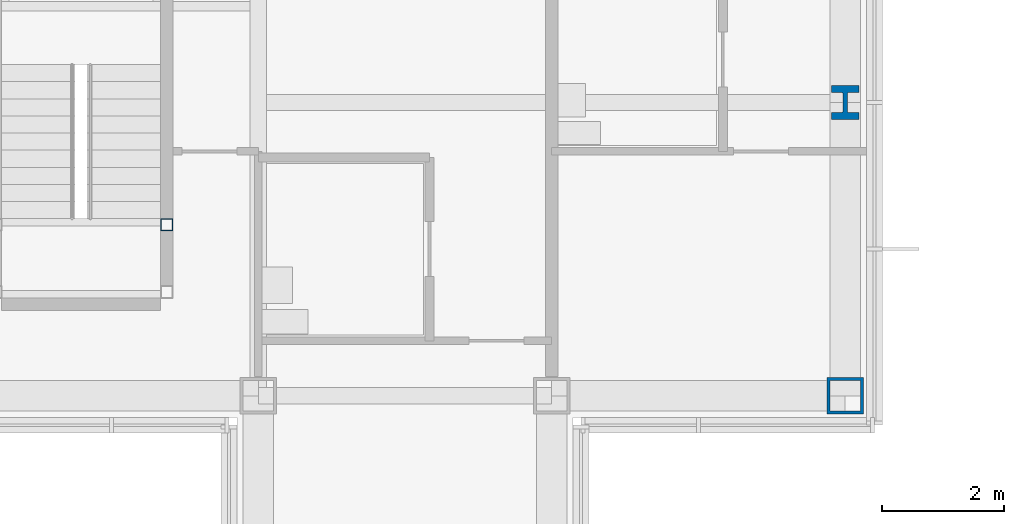
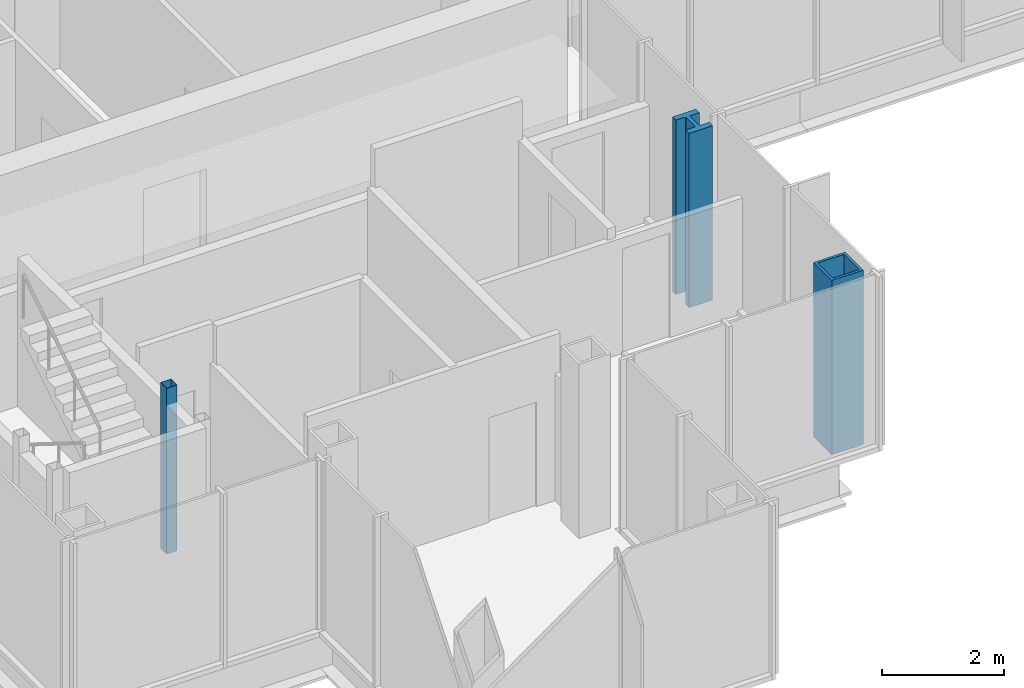
# One storey, part 2 of 15: 3 columns.
"""IFC4 building model written with IfcOpenShell, lengths in metres."""

from ifc_helpers import new_model, si_unit, direction, frame, origin, origin_2d, place, context, subcontext, project, spatial, hollow_rectangle, i_section, extrude, material, material_profile, profile_set, type_object, element, save


model = new_model("IFC4")

# Units and contexts
model_context = context("Model", 3, precision=1e-05, world=origin(), true_north=direction((0.0, 1.0)))
body_context = subcontext(model_context, "Body", "Model", "MODEL_VIEW")
ifc_project = project(units=[si_unit("LENGTHUNIT", "METRE"), si_unit("AREAUNIT", "SQUARE_METRE"), si_unit("VOLUMEUNIT", "CUBIC_METRE"), si_unit("PLANEANGLEUNIT", "RADIAN"), si_unit("MASSUNIT", "GRAM", prefix="KILO")], contexts=[model_context])

# Site, building, storey
site_placement = place(None, origin())
site = spatial("IfcSite", under=ifc_project, at=site_placement, CompositionType="ELEMENT")
building_placement = place(site_placement, origin())
building = spatial("IfcBuilding", under=site, at=building_placement, Name="Kvirike Care Tower", CompositionType="ELEMENT")
storey_placement = place(building_placement, frame((0.0, 0.0, 229.5)))
storey = spatial("IfcBuildingStorey", under=building, at=storey_placement, Name="L63", CompositionType="ELEMENT", Elevation=229.5)

# Columns
ifc_material_1 = material(Name="Steel S460", Category="steel")
ifc_material_profile_1 = material_profile(ifc_material_1, hollow_rectangle(XDim=0.60009765625, YDim=0.60009765625, WallThickness=0.050048828125, at=origin_2d()), Name="BX 600x600x50")
ifc_profile_set_1 = profile_set([ifc_material_profile_1], Name="Steel S460")
column_type_1 = type_object("IfcColumnType", Name="COLUMN BX 600x600x50", PredefinedType="COLUMN", material=ifc_profile_set_1)
column_1_placement = place(storey_placement, frame((28.800048828125, 19.199951171875, 0.0), z_axis=(0.0, 0.0, 1.0), x_axis=(0.0, 1.0, 0.0)))
element("IfcColumn", 1, at=column_1_placement, inside=storey, type_object=column_type_1, Name="Column E9 L63", PredefinedType="COLUMN", context=body_context, shape_type="SweptSolid", body=[
    extrude(hollow_rectangle(XDim=0.60009765625, YDim=0.60009765625, WallThickness=0.050048828125, at=origin_2d()), origin(), (0.0, 0.0, 1.0), 3.5),
])
ifc_material_2 = material(Name="Steel S460", Category="steel")
ifc_material_profile_2 = material_profile(ifc_material_2, i_section(OverallWidth=0.447998046875, OverallDepth=0.550048828125, WebThickness=0.072021484375, FlangeThickness=0.114990234375, FilletRadius=0.014892578125, at=origin_2d()), Name="HD 400x990")
ifc_profile_set_2 = profile_set([ifc_material_profile_2], Name="Steel S460")
column_type_2 = type_object("IfcColumnType", Name="COLUMN HD 400x990", PredefinedType="COLUMN", material=ifc_profile_set_2)
column_2_placement = place(storey_placement, frame((28.800048828125, 24.0, 0.0), z_axis=(0.0, 0.0, 1.0), x_axis=(1.0, 0.0, 0.0)))
element("IfcColumn", 2, at=column_2_placement, inside=storey, type_object=column_type_2, Name="Column F9 L63", PredefinedType="COLUMN", context=body_context, shape_type="SweptSolid", body=[
    extrude(i_section(OverallWidth=0.447998046875, OverallDepth=0.550048828125, WebThickness=0.072021484375, FlangeThickness=0.114990234375, FilletRadius=0.014892578125, at=origin_2d()), origin(), (0.0, 0.0, 1.0), 3.5),
])
ifc_material_3 = material(Name="Steel S460", Category="steel")
ifc_material_profile_3 = material_profile(ifc_material_3, hollow_rectangle(XDim=0.199951171875, YDim=0.199951171875, WallThickness=0.008056640625, at=origin_2d()), Name="SHS 200x200x8")
ifc_profile_set_3 = profile_set([ifc_material_profile_3], Name="Steel S460")
column_type_3 = type_object("IfcColumnType", Name="STAIR POST SHS 200x200x8", PredefinedType="COLUMN", material=ifc_profile_set_3)
column_3_placement = place(storey_placement, frame((17.699951171875, 22.0, 0.0), z_axis=(0.0, 0.0, 1.0), x_axis=(1.0, 0.0, 0.0)))
element("IfcColumn", 3, at=column_3_placement, inside=storey, type_object=column_type_3, Name="Stair 5 post 4 L63", PredefinedType="COLUMN", context=body_context, shape_type="SweptSolid", body=[
    extrude(hollow_rectangle(XDim=0.199951171875, YDim=0.199951171875, WallThickness=0.008056640625, at=origin_2d()), origin(), (0.0, 0.0, 1.0), 3.330078125),
])

save(model, "model.ifc")
